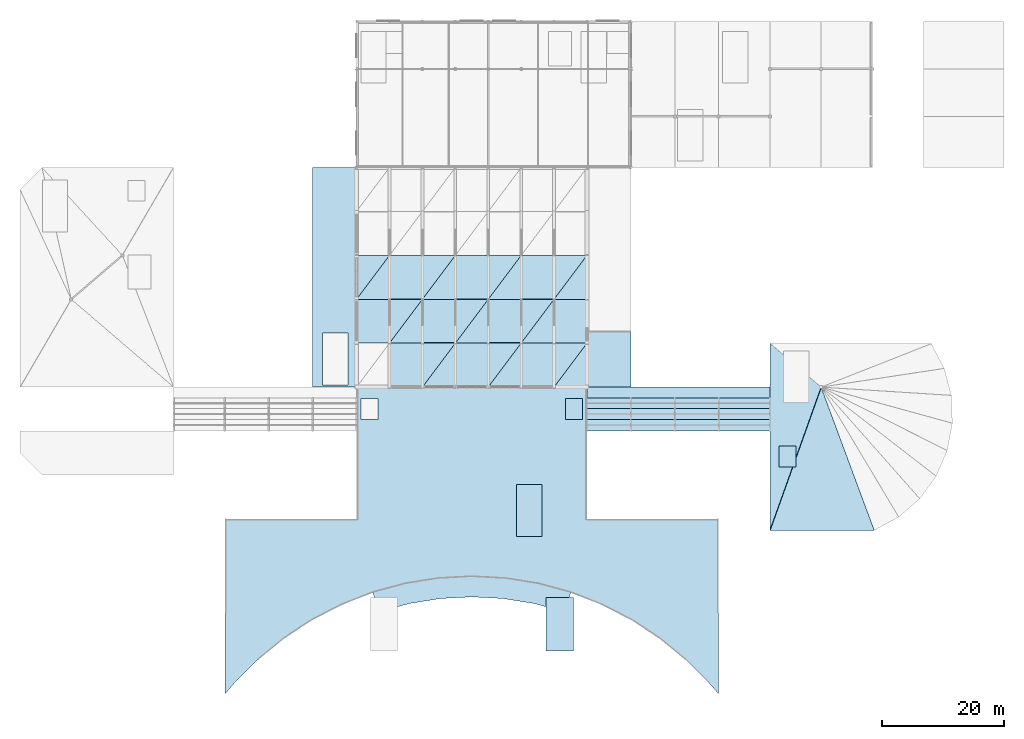
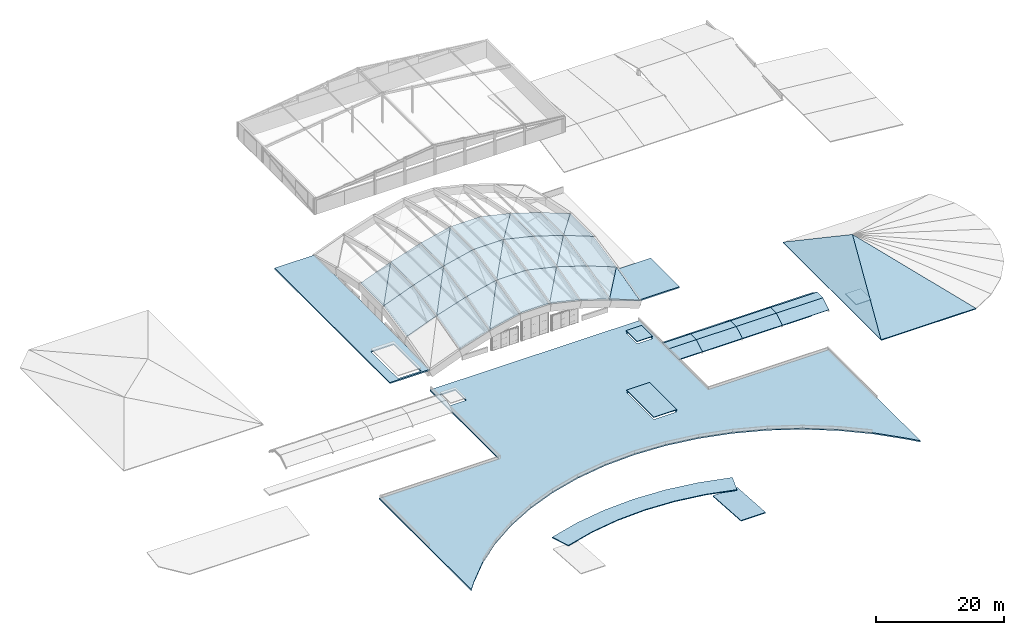
# One storey, part 9 of 27: 53 slabs, 3 elements without a shape of their own.
"""IFC4 building model written with IfcOpenShell, lengths in metres."""

from ifc_helpers import new_model, si_unit, direction, frame, origin, place, context, subcontext, project, spatial, polyline, outline, extrude, material, layer, layer_set, type_object, element, aggregate, save


model = new_model("IFC4")

# Units and contexts
model_context = context("Model", 3, precision=1e-05, world=origin(), true_north=direction((0.0, 1.0)))
body_context = subcontext(model_context, "Body", "Model", "MODEL_VIEW")
ifc_project = project(units=[si_unit("LENGTHUNIT", "METRE"), si_unit("AREAUNIT", "SQUARE_METRE"), si_unit("VOLUMEUNIT", "CUBIC_METRE"), si_unit("PLANEANGLEUNIT", "RADIAN"), si_unit("MASSUNIT", "GRAM", prefix="KILO")], contexts=[model_context])

# Site, building, storey
site_placement = place(None, origin())
site = spatial("IfcSite", under=ifc_project, at=site_placement, CompositionType="ELEMENT")
building_placement = place(site_placement, origin())
building = spatial("IfcBuilding", under=site, at=building_placement, Name="Tazoul Stagehouse", CompositionType="ELEMENT")
storey_placement = place(building_placement, frame((0.0, 0.0, 24.89990234375)))
storey = spatial("IfcBuildingStorey", under=building, at=storey_placement, Name="RF", CompositionType="ELEMENT", Elevation=24.89990234375)

# Slabs
ifc_material_1 = material(Name="Concrete C35/45", Category="concrete")
ifc_layer_1 = layer(ifc_material_1, 0.239990234375, Name="Concrete C35/45")
ifc_layer_set_1 = layer_set([ifc_layer_1], Name="Concrete C35/45")
slab_type_1 = type_object("IfcSlabType", Name="Flat Acoustic Wing Roof Slab 240", PredefinedType="ROOF", material=ifc_layer_set_1)
slab_1_placement = place(storey_placement, frame((0.0, 0.0, -8.039794921875)))
element("IfcSlab", 1, at=slab_1_placement, inside=storey, type_object=slab_type_1, Name="V1 W Gallery Roof Slab RS-01", PredefinedType="ROOF", context=body_context, shape_type="SweptSolid", body=[
    extrude(outline(polyline([(50.39990234375, 51.800048828125), (57.60009765625, 51.800048828125), (57.60009765625, 87.800048828125), (50.39990234375, 87.800048828125), (50.39990234375, 51.800048828125)]), holes=[polyline([(52.050048828125, 52.139892578125), (56.199951171875, 52.139892578125), (56.199951171875, 60.639892578125), (52.050048828125, 60.639892578125), (52.050048828125, 52.139892578125)])]), origin(), (0.0, 0.0, 1.0), 0.239990234375),
])
slab_2_placement = place(storey_placement, frame((0.0, 0.0, -8.039794921875)))
element("IfcSlab", 2, at=slab_2_placement, inside=storey, type_object=slab_type_1, Name="V1 SE Control Gallery Roof Slab RS-01", PredefinedType="ROOF", context=body_context, shape_type="SweptSolid", body=[
    extrude(outline(polyline([(95.39990234375, 51.800048828125), (102.60009765625, 51.800048828125), (102.60009765625, 60.800048828125), (95.39990234375, 60.800048828125), (95.39990234375, 51.800048828125)])), origin(), (0.0, 0.0, 1.0), 0.239990234375),
])
slab_3_placement = place(storey_placement, frame((0.0, 0.0, -20.33984375)))
element("IfcSlab", 3, at=slab_3_placement, inside=storey, type_object=slab_type_1, Name="L00 Link North Gallery Roof Slab RS-01 (ELNK)", PredefinedType="ROOF", context=body_context, shape_type="SweptSolid", body=[
    extrude(outline(polyline([(95.39990234375, 50.0), (125.39990234375, 50.0), (125.39990234375, 51.800048828125), (95.39990234375, 51.800048828125), (95.39990234375, 50.0)])), origin(), (0.0, 0.0, 1.0), 0.239990234375),
])
slab_4_placement = place(storey_placement, frame((0.0, 0.0, -11.93994140625)))
element("IfcSlab", 4, at=slab_4_placement, inside=storey, type_object=slab_type_1, Name="V5 Concave Crescent Roof Slab RS-01 (+13.20 m)", PredefinedType="ROOF", context=body_context, shape_type="SweptSolid", body=[
    extrude(outline(polyline([(36.0, 1.449951171875), (37.5, 3.1796875), (41.358154296875, 7.11328125), (45.611083984375, 10.616455078125), (50.21044921875, 13.64990234375), (55.105224609375, 16.1796875), (60.239990234375, 18.177490234375), (65.5576171875, 19.62060546875), (70.997802734375, 20.4931640625), (76.5, 20.784912109375), (82.002197265625, 20.4931640625), (87.4423828125, 19.62060546875), (92.760009765625, 18.177490234375), (97.894775390625, 16.1796875), (102.78955078125, 13.64990234375), (107.388916015625, 10.616455078125), (111.641845703125, 7.11328125), (115.5, 3.1796875), (117.0, 1.449951171875), (117.0, 30.199951171875), (95.39990234375, 30.199951171875), (95.39990234375, 51.800048828125), (57.60009765625, 51.800048828125), (57.60009765625, 30.199951171875), (36.0, 30.199951171875), (36.0, 1.449951171875)]), holes=[polyline([(58.300048828125, 46.5), (61.10009765625, 46.5), (61.10009765625, 49.89990234375), (58.300048828125, 49.89990234375), (58.300048828125, 46.5)]), polyline([(91.89990234375, 46.5), (94.699951171875, 46.5), (94.699951171875, 49.89990234375), (91.89990234375, 49.89990234375), (91.89990234375, 46.5)]), polyline([(83.85009765625, 27.330078125), (88.0, 27.330078125), (88.0, 35.830078125), (83.85009765625, 35.830078125), (83.85009765625, 27.330078125)])]), origin(), (0.0, 0.0, 1.0), 0.239990234375),
])
ifc_layer_2 = layer(ifc_material_1, 0.14990234375, Name="Concrete C35/45")
ifc_layer_set_2 = layer_set([ifc_layer_2], Name="Concrete C35/45")
slab_type_2 = type_object("IfcSlabType", Name="Lift Overrun Cap Slab 150", PredefinedType="ROOF", material=ifc_layer_set_2)
slab_5_placement = place(storey_placement, frame((0.0, 0.0, -11.39990234375)))
element("IfcSlab", 5, at=slab_5_placement, inside=storey, type_object=slab_type_2, Name="Lift Overrun Roof Cap RS-05 (PL-02)", PredefinedType="ROOF", context=body_context, shape_type="SweptSolid", body=[
    extrude(outline(polyline([(91.89990234375, 46.5), (94.699951171875, 46.5), (94.699951171875, 49.89990234375), (91.89990234375, 49.89990234375), (91.89990234375, 46.5)])), origin(), (0.0, 0.0, 1.0), 0.14990234375),
])
slab_6_placement = place(storey_placement, frame((0.0, 0.0, -11.39990234375)))
element("IfcSlab", 6, at=slab_6_placement, inside=storey, type_object=slab_type_2, Name="Core Stair Overrun Cap RS-05 (ST-08)", PredefinedType="ROOF", context=body_context, shape_type="SweptSolid", body=[
    extrude(outline(polyline([(83.85009765625, 27.330078125), (88.0, 27.330078125), (88.0, 35.830078125), (83.85009765625, 35.830078125), (83.85009765625, 27.330078125)])), origin(), (0.0, 0.0, 1.0), 0.14990234375),
])
slab_7_placement = place(storey_placement, frame((0.0, 0.0, -11.89990234375)))
element("IfcSlab", 7, at=slab_7_placement, inside=storey, type_object=slab_type_2, Name="Lift Overrun Roof Cap RS-05 (PL-04)", PredefinedType="ROOF", context=body_context, shape_type="SweptSolid", body=[
    extrude(outline(polyline([(126.89990234375, 38.699951171875), (129.699951171875, 38.699951171875), (129.699951171875, 42.10009765625), (126.89990234375, 42.10009765625), (126.89990234375, 38.699951171875)])), origin(), (0.0, 0.0, 1.0), 0.14990234375),
])

# Roof, slabs
ifc_material_2 = material(Name="Concrete C40/50", Category="concrete")
roof_type_1 = type_object("IfcRoofType", Name="Main Auditorium Barrel-Toroidal Roof", PredefinedType="BARREL_ROOF", material=ifc_material_2)
roof_1_placement = place(storey_placement, origin())
roof_1 = element("IfcRoof", 8, at=roof_1_placement, inside=storey, type_object=roof_type_1, Name="V1 Seven-Bay Doubly Curved Concrete Shell Roof", PredefinedType="BARREL_ROOF")
ifc_layer_3 = layer(ifc_material_2, 0.2900390625, Name="Concrete C40/50")
ifc_layer_set_3 = layer_set([ifc_layer_3], Name="Concrete C40/50")
slab_type_3 = type_object("IfcSlabType", Name="Shell Perimeter Thickened Band 290", PredefinedType="ROOF", material=ifc_layer_set_3)
slab_8_placement = place(storey_placement, frame((57.60009765625, 59.0, -5.8779296875), z_axis=(-0.353872631564, -0.186526890629, 0.916505253505), x_axis=(0.932877386196, 0.0, 0.360194089796)))
slab_8 = element("IfcSlab", 9, at=slab_8_placement, type_object=slab_type_3, Name="Shell Roof Strip SH-02 Bay 1.2", PredefinedType="ROOF", context=body_context, shape_type="SweptSolid", body=[
    extrude(outline(polyline([(0.0, 0.0), (5.788437391294616, 0.0), (6.3162413285400145, 7.328568608058445), (0.5278039372453981, 7.328568608058445), (0.0, 0.0)])), origin(), (0.0, 0.0, -1.0), 0.2900390625),
])
slab_9_placement = place(storey_placement, frame((57.60009765625, 66.199951171875, -4.41259765625), z_axis=(-0.360194089796, 0.0, 0.932877386196), x_axis=(0.932877386196, 0.0, 0.360194089796)))
slab_9 = element("IfcSlab", 10, at=slab_9_placement, type_object=slab_type_3, Name="Shell Roof Diagrid Facet SH-02 Bay 1.3A", PredefinedType="ROOF", context=body_context, shape_type="SweptSolid", body=[
    extrude(outline(polyline([(0.0, 0.0), (5.788437391294616, 0.0), (5.788437391294616, 7.199951171875002), (0.0, 0.0)])), origin(), (0.0, 0.0, -1.0), 0.2900390625),
])
slab_10_placement = place(storey_placement, frame((57.60009765625, 66.199951171875, -4.41259765625), z_axis=(-0.360194089796, 0.0, 0.932877386196), x_axis=(0.584515578042, 0.779362913105, 0.225687812482)))
slab_10 = element("IfcSlab", 11, at=slab_10_placement, type_object=slab_type_3, Name="Shell Roof Diagrid Facet SH-02 Bay 1.3B", PredefinedType="ROOF", context=body_context, shape_type="SweptSolid", body=[
    extrude(outline(polyline([(0.0, 0.0), (9.238252232447532, -3.3306690738754696e-16), (5.61137491952308, 4.511293427602724), (0.0, 0.0)])), origin(), (0.0, 0.0, -1.0), 0.2900390625),
])
slab_11_placement = place(storey_placement, frame((63.0, 51.800048828125, -5.71484375), z_axis=(-0.29643458644, -0.246322029177, 0.922741563984), x_axis=(0.952077299684, -4.891954e-06, 0.305857508332)))
slab_11 = element("IfcSlab", 12, at=slab_11_placement, type_object=slab_type_3, Name="Shell Roof Strip SH-02 Bay 2.1", PredefinedType="ROOF", context=body_context, shape_type="SweptSolid", body=[
    extrude(outline(polyline([(0.0, 0.0), (5.67167073024975, -5.551115123125783e-17), (6.259530079487855, 7.428880147166658), (0.5877846769948596, 7.428822891536156), (0.0, 0.0)])), origin(), (0.0, 0.0, -1.0), 0.2900390625),
])
slab_12_placement = place(storey_placement, frame((68.39990234375, 51.800048828125, -3.980224609375), z_axis=(-0.21979333003, -0.251622464711, 0.942537546906), x_axis=(0.973871404196, 0.0, 0.227100171927)))
slab_12 = element("IfcSlab", 13, at=slab_12_placement, type_object=slab_type_3, Name="Shell Roof Diagrid Facet SH-02 Bay 3.1A", PredefinedType="ROOF", context=body_context, shape_type="SweptSolid", body=[
    extrude(outline(polyline([(0.0, 0.0), (5.5450303408718815, -5.551115123125783e-17), (5.981543928171152, 7.439307411059465), (0.0, 0.0)])), origin(), (0.0, 0.0, -1.0), 0.2900390625),
])
slab_13_placement = place(storey_placement, frame((68.39990234375, 51.800048828125, -3.980224609375), z_axis=(-0.21979333003, -0.251622464711, 0.942537546906), x_axis=(0.565709577839, 0.754253861388, 0.333277341147)))
slab_13 = element("IfcSlab", 14, at=slab_13_placement, type_object=slab_type_3, Name="Shell Roof Diagrid Facet SH-02 Bay 3.1B", PredefinedType="ROOF", context=body_context, shape_type="SweptSolid", body=[
    extrude(outline(polyline([(0.0, 0.0), (9.545792922585608, 3.7470027081099033e-16), (6.071189729749632, 4.321399557264264), (0.0, 0.0)])), origin(), (0.0, 0.0, -1.0), 0.2900390625),
])
slab_14_placement = place(storey_placement, frame((73.800048828125, 51.800048828125, -2.720947265625), z_axis=(0.0, -0.257929760905, 0.966163670627), x_axis=(1.0, 0.0, 0.0)))
slab_14 = element("IfcSlab", 15, at=slab_14_placement, type_object=slab_type_3, Name="Shell Roof Strip SH-02 Bay 4.1", PredefinedType="ROOF", context=body_context, shape_type="SweptSolid", body=[
    extrude(outline(polyline([(0.0, 0.0), (5.39990234375, 0.0), (5.39990234375, 7.4521029829264425), (0.0, 7.4521029829264425), (0.0, 0.0)])), origin(), (0.0, 0.0, -1.0), 0.2900390625),
])
slab_15_placement = place(storey_placement, frame((79.199951171875, 51.800048828125, -2.720947265625), z_axis=(0.21979333003, -0.251622464711, 0.942537546906), x_axis=(0.973871404196, 0.0, -0.227100171927)))
slab_15 = element("IfcSlab", 16, at=slab_15_placement, type_object=slab_type_3, Name="Shell Roof Diagrid Facet SH-02 Bay 5.1A", PredefinedType="ROOF", context=body_context, shape_type="SweptSolid", body=[
    extrude(outline(polyline([(0.0, 0.0), (5.5450303408718815, 5.551115123125783e-17), (5.10851675357261, 7.439307411059465), (0.0, 0.0)])), origin(), (0.0, 0.0, -1.0), 0.2900390625),
])
slab_16_placement = place(storey_placement, frame((79.199951171875, 51.800048828125, -2.720947265625), z_axis=(0.21979333003, -0.251622464711, 0.942537546906), x_axis=(0.598392336682, 0.797829395592, 0.073449757859)))
slab_16 = element("IfcSlab", 17, at=slab_16_placement, type_object=slab_type_3, Name="Shell Roof Diagrid Facet SH-02 Bay 5.1B", PredefinedType="ROOF", context=body_context, shape_type="SweptSolid", body=[
    extrude(outline(polyline([(0.0, 0.0), (9.024424534438545, -9.43689570931383e-16), (5.885511877203409, 4.571059922101085), (0.0, 0.0)])), origin(), (0.0, 0.0, -1.0), 0.2900390625),
])
slab_17_placement = place(storey_placement, frame((84.60009765625, 51.800048828125, -3.980224609375), z_axis=(0.29643458644, -0.246322029177, 0.922741563984), x_axis=(0.952077299684, 4.891954e-06, -0.305857508332)))
slab_17 = element("IfcSlab", 18, at=slab_17_placement, type_object=slab_type_3, Name="Shell Roof Strip SH-02 Bay 6.1", PredefinedType="ROOF", context=body_context, shape_type="SweptSolid", body=[
    extrude(outline(polyline([(0.0, 0.0), (5.67167073024975, 5.551115123125783e-17), (5.083886053254891, 7.428822891536156), (-0.5878593492381048, 7.428880147166658), (0.0, 0.0)])), origin(), (0.0, 0.0, -1.0), 0.2900390625),
])
slab_18_placement = place(storey_placement, frame((90.0, 51.800048828125, -5.71484375), z_axis=(0.349520702805, -0.241633127057, 0.905234063775), x_axis=(0.932877386196, 0.0, -0.360194089796)))
slab_18 = element("IfcSlab", 19, at=slab_18_placement, type_object=slab_type_3, Name="Shell Roof Diagrid Facet SH-02 Bay 7.1A", PredefinedType="ROOF", context=body_context, shape_type="SweptSolid", body=[
    extrude(outline(polyline([(0.0, 0.0), (5.788437391294616, 0.0), (5.096189374967429, 7.419817590540906), (0.0, 0.0)])), origin(), (0.0, 0.0, -1.0), 0.2900390625),
])
slab_19_placement = place(storey_placement, frame((90.0, 51.800048828125, -5.71484375), z_axis=(0.349520702805, -0.241633127057, 0.905234063775), x_axis=(0.599897175002, 0.799871940862, -0.018117881947)))
slab_19 = element("IfcSlab", 20, at=slab_19_placement, type_object=slab_type_3, Name="Shell Roof Diagrid Facet SH-02 Bay 7.1B", PredefinedType="ROOF", context=body_context, shape_type="SweptSolid", body=[
    extrude(outline(polyline([(0.0, 0.0), (9.001379851024573, 3.3306690738754696e-16), (5.724218613592503, 4.77139619574924), (0.0, 0.0)])), origin(), (0.0, 0.0, -1.0), 0.2900390625),
])
slab_20_placement = place(storey_placement, frame((90.0, 59.0, -3.79296875), z_axis=(0.353872631564, -0.186526890629, 0.916505253505), x_axis=(0.932877386196, 0.0, -0.360194089796)))
slab_20 = element("IfcSlab", 21, at=slab_20_placement, type_object=slab_type_3, Name="Shell Roof Strip SH-02 Bay 7.2", PredefinedType="ROOF", context=body_context, shape_type="SweptSolid", body=[
    extrude(outline(polyline([(0.0, 0.0), (5.788437391294616, 0.0), (5.260633454049218, 7.328568608058445), (-0.5278039372453981, 7.328568608058445), (0.0, 0.0)])), origin(), (0.0, 0.0, -1.0), 0.2900390625),
])
slab_21_placement = place(storey_placement, frame((90.0, 66.199951171875, -2.32763671875), z_axis=(0.360194089796, 0.0, 0.932877386196), x_axis=(0.932877386196, 0.0, -0.360194089796)))
slab_21 = element("IfcSlab", 22, at=slab_21_placement, type_object=slab_type_3, Name="Shell Roof Diagrid Facet SH-02 Bay 7.3A", PredefinedType="ROOF", context=body_context, shape_type="SweptSolid", body=[
    extrude(outline(polyline([(0.0, 0.0), (5.788437391294616, 0.0), (5.788437391294616, 7.199951171875002), (0.0, 0.0)])), origin(), (0.0, 0.0, -1.0), 0.2900390625),
])
slab_22_placement = place(storey_placement, frame((90.0, 66.199951171875, -2.32763671875), z_axis=(0.360194089796, 0.0, 0.932877386196), x_axis=(0.584515578042, 0.779362913105, -0.225687812482)))
slab_22 = element("IfcSlab", 23, at=slab_22_placement, type_object=slab_type_3, Name="Shell Roof Diagrid Facet SH-02 Bay 7.3B", PredefinedType="ROOF", context=body_context, shape_type="SweptSolid", body=[
    extrude(outline(polyline([(0.0, 0.0), (9.238252232447532, -3.3306690738754696e-16), (5.61137491952308, 4.511293427602724), (0.0, 0.0)])), origin(), (0.0, 0.0, -1.0), 0.2900390625),
])

roof_type_2 = type_object("IfcRoofType", Name="Conical Studio Drum Parametric Roof", PredefinedType="PAVILION_ROOF", material=ifc_material_2)
roof_2_placement = place(storey_placement, origin())
roof_2 = element("IfcRoof", 24, at=roof_2_placement, inside=storey, type_object=roof_type_2, Name="V4 Radially Fanned Conical Studio Roof", PredefinedType="PAVILION_ROOF")
ifc_layer_4 = layer(ifc_material_2, 0.18994140625, Name="Concrete C40/50")
ifc_layer_set_4 = layer_set([ifc_layer_4], Name="Concrete C40/50")
slab_type_4 = type_object("IfcSlabType", Name="Sloped Studio Acoustic Roof 190", PredefinedType="ROOF", material=ifc_layer_set_4)
slab_23_placement = place(storey_placement, frame((133.800048828125, 51.800048828125, -8.75), z_axis=(0.0, -0.122471152856, 0.992472073521), x_axis=(0.345469164091, -0.931365669357, -0.114930616487)))
slab_23 = element("IfcSlab", 25, at=slab_23_placement, type_object=slab_type_4, Name="V4 Conical Studio Roof Facet RS-02 F10", PredefinedType="ROOF", context=body_context, shape_type="SweptSolid", body=[
    extrude(outline(polyline([(0.0, 0.0), (25.231765323958143, -1.6237011735142914e-15), (19.31838920980736, -16.063054905610045), (0.0, 0.0)])), origin(), (0.0, 0.0, -1.0), 0.18994140625),
])
slab_24_placement = place(storey_placement, frame((133.800048828125, 51.800048828125, -8.75), z_axis=(-0.326322556324, 0.0, 0.945258477473), x_axis=(-0.334345769406, -0.93535578167, -0.115422996745)))
slab_24 = element("IfcSlab", 26, at=slab_24_placement, type_object=slab_type_4, Name="V4 Conical Studio Roof Facet RS-02 F11", PredefinedType="ROOF", context=body_context, shape_type="SweptSolid", body=[
    extrude(outline(polyline([(0.0, 0.0), (25.124129727460105, 1.1102230246251565e-16), (-3.5912470981314057, -10.85882754811915), (0.0, 0.0)])), origin(), (0.0, 0.0, -1.0), 0.18994140625),
])
aggregate(roof_2, [slab_23, slab_24])

# Slab
ifc_layer_5 = layer(ifc_material_2, 0.199951171875, Name="Concrete C40/50")
ifc_layer_set_5 = layer_set([ifc_layer_5], Name="Concrete C40/50")
slab_type_5 = type_object("IfcSlabType", Name="Toroidal Concrete Shell Roof 200", PredefinedType="ROOF", material=ifc_layer_set_5)
slab_25_placement = place(storey_placement, frame((63.0, 59.0, -3.79296875), z_axis=(-0.300292904386, -0.190227023672, 0.934685963862), x_axis=(0.952070651838, 0.0, 0.305878201101)))
slab_25 = element("IfcSlab", 27, at=slab_25_placement, type_object=slab_type_5, Name="Shell Roof Diagrid Facet SH-01 Bay 2.2A", PredefinedType="ROOF", context=body_context, shape_type="SweptSolid", body=[
    extrude(outline(polyline([(0.0, 0.0), (5.671745403900484, 0.0), (6.11995852963544, 7.333866635896125), (0.0, 0.0)])), origin(), (0.0, 0.0, -1.0), 0.199951171875),
])

slab_26_placement = place(storey_placement, frame((63.0, 59.0, -3.79296875), z_axis=(-0.300292904386, -0.190227023672, 0.934685963862), x_axis=(0.565320163526, 0.753768737795, 0.335031047269)))
slab_26 = element("IfcSlab", 28, at=slab_26_placement, type_object=slab_type_5, Name="Shell Roof Diagrid Facet SH-01 Bay 2.2B", PredefinedType="ROOF", context=body_context, shape_type="SweptSolid", body=[
    extrude(outline(polyline([(0.0, 0.0), (9.551936570013847, -3.885780586188048e-16), (5.918029832034845, 4.354700649451931), (0.0, 0.0)])), origin(), (0.0, 0.0, -1.0), 0.199951171875),
])

slab_27_placement = place(storey_placement, frame((63.0, 66.199951171875, -2.32763671875), z_axis=(-0.305878201101, 0.0, 0.952070651838), x_axis=(0.952070651838, 0.0, 0.305878201101)))
slab_27 = element("IfcSlab", 29, at=slab_27_placement, type_object=slab_type_5, Name="Shell Roof Strip SH-01 Bay 2.3", PredefinedType="ROOF", context=body_context, shape_type="SweptSolid", body=[
    extrude(outline(polyline([(0.0, 0.0), (5.671745403900484, 0.0), (5.671745403900484, 7.199951171875002), (0.0, 7.199951171875002), (0.0, 0.0)])), origin(), (0.0, 0.0, -1.0), 0.199951171875),
])

slab_28_placement = place(storey_placement, frame((68.39990234375, 59.0, -2.05810546875), z_axis=(-0.222766731469, -0.194420016436, 0.955288354666), x_axis=(0.973871404196, 0.0, 0.227100171927)))
slab_28 = element("IfcSlab", 30, at=slab_28_placement, type_object=slab_type_5, Name="Shell Roof Strip SH-01 Bay 3.2", PredefinedType="ROOF", context=body_context, shape_type="SweptSolid", body=[
    extrude(outline(polyline([(0.0, 0.0), (5.5450303408718815, -2.7755575615628914e-17), (5.877807497098253, 7.340010504317098), (0.33277715622637155, 7.340010504317098), (0.0, 0.0)])), origin(), (0.0, 0.0, -1.0), 0.199951171875),
])

slab_29_placement = place(storey_placement, frame((68.39990234375, 66.199951171875, -0.5927734375), z_axis=(-0.227100171927, 0.0, 0.973871404196), x_axis=(0.973871404196, 0.0, 0.227100171927)))
slab_29 = element("IfcSlab", 31, at=slab_29_placement, type_object=slab_type_5, Name="Shell Roof Diagrid Facet SH-01 Bay 3.3A", PredefinedType="ROOF", context=body_context, shape_type="SweptSolid", body=[
    extrude(outline(polyline([(0.0, 0.0), (5.5450303408718815, 0.0), (5.5450303408718815, 7.199951171875), (0.0, 0.0)])), origin(), (0.0, 0.0, -1.0), 0.199951171875),
])

slab_30_placement = place(storey_placement, frame((68.39990234375, 66.199951171875, -0.5927734375), z_axis=(-0.227100171927, 0.0, 0.973871404196), x_axis=(0.594224554451, 0.792272541043, 0.138569114872)))
slab_30 = element("IfcSlab", 32, at=slab_30_placement, type_object=slab_type_5, Name="Shell Roof Diagrid Facet SH-01 Bay 3.3B", PredefinedType="ROOF", context=body_context, shape_type="SweptSolid", body=[
    extrude(outline(polyline([(0.0, 0.0), (9.087720195878278, -8.326672684688674e-17), (5.7043236103259245, 4.393175278322322), (0.0, 0.0)])), origin(), (0.0, 0.0, -1.0), 0.199951171875),
])

slab_31_placement = place(storey_placement, frame((73.800048828125, 59.0, -0.798828125), z_axis=(0.0, -0.199431372251, 0.979911795909), x_axis=(1.0, 0.0, 0.0)))
slab_31 = element("IfcSlab", 33, at=slab_31_placement, type_object=slab_type_5, Name="Shell Roof Diagrid Facet SH-01 Bay 4.2A", PredefinedType="ROOF", context=body_context, shape_type="SweptSolid", body=[
    extrude(outline(polyline([(0.0, 0.0), (5.39990234375, 0.0), (5.39990234375, 7.347550261086441), (0.0, 0.0)])), origin(), (0.0, 0.0, -1.0), 0.199951171875),
])

slab_32_placement = place(storey_placement, frame((73.800048828125, 59.0, -0.798828125), z_axis=(0.0, -0.199431372251, 0.979911795909), x_axis=(0.592197660529, 0.789605805528, 0.160700350778)))
slab_32 = element("IfcSlab", 34, at=slab_32_placement, type_object=slab_type_5, Name="Shell Roof Diagrid Facet SH-01 Bay 4.2B", PredefinedType="ROOF", context=body_context, shape_type="SweptSolid", body=[
    extrude(outline(polyline([(0.0, 0.0), (9.118412151313857, 1.0824674490095276e-15), (5.920602616258427, 4.3512020752368334), (0.0, 0.0)])), origin(), (0.0, 0.0, -1.0), 0.199951171875),
])

slab_33_placement = place(storey_placement, frame((73.800048828125, 66.199951171875, 0.66650390625), z_axis=(0.0, 0.0, 1.0), x_axis=(1.0, 0.0, 0.0)))
slab_33 = element("IfcSlab", 35, at=slab_33_placement, type_object=slab_type_5, Name="Shell Roof Strip SH-01 Bay 4.3", PredefinedType="ROOF", context=body_context, shape_type="SweptSolid", body=[
    extrude(outline(polyline([(0.0, 0.0), (5.39990234375, 0.0), (5.39990234375, 7.199951171875), (0.0, 7.199951171875), (0.0, 0.0)])), origin(), (0.0, 0.0, -1.0), 0.199951171875),
])

slab_34_placement = place(storey_placement, frame((79.199951171875, 59.0, -0.798828125), z_axis=(0.222766731469, -0.194420016436, 0.955288354666), x_axis=(0.973871404196, 0.0, -0.227100171927)))
slab_34 = element("IfcSlab", 36, at=slab_34_placement, type_object=slab_type_5, Name="Shell Roof Strip SH-01 Bay 5.2", PredefinedType="ROOF", context=body_context, shape_type="SweptSolid", body=[
    extrude(outline(polyline([(0.0, 0.0), (5.5450303408718815, 2.7755575615628914e-17), (5.21225318464551, 7.340010504317098), (-0.33277715622637155, 7.340010504317098), (0.0, 0.0)])), origin(), (0.0, 0.0, -1.0), 0.199951171875),
])

slab_35_placement = place(storey_placement, frame((79.199951171875, 66.199951171875, 0.66650390625), z_axis=(0.227100171927, 0.0, 0.973871404196), x_axis=(0.973871404196, 0.0, -0.227100171927)))
slab_35 = element("IfcSlab", 37, at=slab_35_placement, type_object=slab_type_5, Name="Shell Roof Diagrid Facet SH-01 Bay 5.3A", PredefinedType="ROOF", context=body_context, shape_type="SweptSolid", body=[
    extrude(outline(polyline([(0.0, 0.0), (5.5450303408718815, 0.0), (5.5450303408718815, 7.199951171875), (0.0, 0.0)])), origin(), (0.0, 0.0, -1.0), 0.199951171875),
])

slab_36_placement = place(storey_placement, frame((79.199951171875, 66.199951171875, 0.66650390625), z_axis=(0.227100171927, 0.0, 0.973871404196), x_axis=(0.594224554451, 0.792272541043, -0.138569114872)))
slab_36 = element("IfcSlab", 38, at=slab_36_placement, type_object=slab_type_5, Name="Shell Roof Diagrid Facet SH-01 Bay 5.3B", PredefinedType="ROOF", context=body_context, shape_type="SweptSolid", body=[
    extrude(outline(polyline([(0.0, 0.0), (9.087720195878278, -8.326672684688674e-17), (5.7043236103259245, 4.393175278322322), (0.0, 0.0)])), origin(), (0.0, 0.0, -1.0), 0.199951171875),
])

slab_37_placement = place(storey_placement, frame((84.60009765625, 59.0, -2.05810546875), z_axis=(0.300292904386, -0.190227023672, 0.934685963862), x_axis=(0.952070651838, 0.0, -0.305878201101)))
slab_37 = element("IfcSlab", 39, at=slab_37_placement, type_object=slab_type_5, Name="Shell Roof Diagrid Facet SH-01 Bay 6.2A", PredefinedType="ROOF", context=body_context, shape_type="SweptSolid", body=[
    extrude(outline(polyline([(0.0, 0.0), (5.671745403900484, 0.0), (5.2235322781655285, 7.333866635896125), (0.0, 0.0)])), origin(), (0.0, 0.0, -1.0), 0.199951171875),
])

slab_38_placement = place(storey_placement, frame((84.60009765625, 59.0, -2.05810546875), z_axis=(0.300292904386, -0.190227023672, 0.934685963862), x_axis=(0.599726773319, 0.79964473605, -0.029934820406)))
slab_38 = element("IfcSlab", 40, at=slab_38_placement, type_object=slab_type_5, Name="Shell Roof Diagrid Facet SH-01 Bay 6.2B", PredefinedType="ROOF", context=body_context, shape_type="SweptSolid", body=[
    extrude(outline(polyline([(0.0, 0.0), (9.003937432820571, -7.216449660063518e-16), (5.713538603213161, 4.619737164469905), (0.0, 0.0)])), origin(), (0.0, 0.0, -1.0), 0.199951171875),
])

slab_39_placement = place(storey_placement, frame((84.60009765625, 66.199951171875, -0.5927734375), z_axis=(0.305878201101, 0.0, 0.952070651838), x_axis=(0.952070651838, 0.0, -0.305878201101)))
slab_39 = element("IfcSlab", 41, at=slab_39_placement, type_object=slab_type_5, Name="Shell Roof Strip SH-01 Bay 6.3", PredefinedType="ROOF", context=body_context, shape_type="SweptSolid", body=[
    extrude(outline(polyline([(0.0, 0.0), (5.671745403900484, 0.0), (5.671745403900484, 7.199951171875002), (0.0, 7.199951171875002), (0.0, 0.0)])), origin(), (0.0, 0.0, -1.0), 0.199951171875),
])

aggregate(roof_1, [slab_8, slab_9, slab_10, slab_11, slab_25, slab_26, slab_27, slab_12, slab_13, slab_28, slab_29, slab_30, slab_14, slab_31, slab_32, slab_33, slab_15, slab_16, slab_34, slab_35, slab_36, slab_17, slab_37, slab_38, slab_39, slab_18, slab_19, slab_20, slab_21, slab_22])

# Roof, slabs
ifc_material_3 = material(Name="Precast concrete C40/50", Category="concrete")
roof_type_3 = type_object("IfcRoofType", Name="Vaulted Civic Passage Roof", PredefinedType="BARREL_ROOF", material=ifc_material_3)
roof_3_placement = place(storey_placement, origin())
roof_3 = element("IfcRoof", 42, at=roof_3_placement, inside=storey, type_object=roof_type_3, Name="Barrel-Vaulted Public Shade Passage and Court-Bridge Roofs", PredefinedType="BARREL_ROOF")
ifc_layer_6 = layer(ifc_material_3, 0.159912109375, Name="Precast concrete C40/50")
ifc_layer_set_6 = layer_set([ifc_layer_6], Name="Precast concrete C40/50")
slab_type_6 = type_object("IfcSlabType", Name="Vaulted Passage Canopy Shell 160", PredefinedType="ROOF", material=ifc_layer_set_6)
slab_40_placement = place(storey_placement, frame((95.39990234375, 44.60009765625, -15.81982421875), z_axis=(0.0, -0.514479550847, 0.857502648253), x_axis=(1.0, 0.0, 0.0)))
slab_40 = element("IfcSlab", 43, at=slab_40_placement, type_object=slab_type_6, Name="Passage Vault Canopy Strip RS-04 E1.1", PredefinedType="ROOF", context=body_context, shape_type="SweptSolid", body=[
    extrude(outline(polyline([(0.0, 0.0), (7.2001953125, 0.0), (7.2001953125, 2.2156227127945773), (0.0, 2.2156227127945773), (0.0, 0.0)])), origin(), (0.0, 0.0, -1.0), 0.159912109375),
])
slab_41_placement = place(storey_placement, frame((95.39990234375, 46.5, -14.679931640625), z_axis=(0.0, 0.0, 1.0), x_axis=(1.0, 0.0, 0.0)))
slab_41 = element("IfcSlab", 44, at=slab_41_placement, type_object=slab_type_6, Name="Passage Vault Canopy Strip RS-04 E1.2", PredefinedType="ROOF", context=body_context, shape_type="SweptSolid", body=[
    extrude(outline(polyline([(0.0, 0.0), (7.2001953125, 0.0), (7.2001953125, 1.800048828125), (0.0, 1.800048828125), (0.0, 0.0)])), origin(), (0.0, 0.0, -1.0), 0.159912109375),
])
slab_42_placement = place(storey_placement, frame((95.39990234375, 48.300048828125, -14.679931640625), z_axis=(0.0, 0.556927861268, 0.830560869138), x_axis=(1.0, 0.0, 0.0)))
slab_42 = element("IfcSlab", 45, at=slab_42_placement, type_object=slab_type_6, Name="Passage Vault Canopy Strip RS-04 E1.3", PredefinedType="ROOF", context=body_context, shape_type="SweptSolid", body=[
    extrude(outline(polyline([(0.0, 0.0), (7.2001953125, 0.0), (7.2001953125, 2.04675085841527), (0.0, 2.04675085841527), (0.0, 0.0)])), origin(), (0.0, 0.0, -1.0), 0.159912109375),
])
slab_43_placement = place(storey_placement, frame((102.60009765625, 44.60009765625, -15.81982421875), z_axis=(0.0, -0.514479550847, 0.857502648253), x_axis=(1.0, 0.0, 0.0)))
slab_43 = element("IfcSlab", 46, at=slab_43_placement, type_object=slab_type_6, Name="Passage Vault Canopy Strip RS-04 E2.1", PredefinedType="ROOF", context=body_context, shape_type="SweptSolid", body=[
    extrude(outline(polyline([(0.0, 0.0), (7.199951171875, 0.0), (7.199951171875, 2.215622712794578), (0.0, 2.215622712794578), (0.0, 0.0)])), origin(), (0.0, 0.0, -1.0), 0.159912109375),
])
slab_44_placement = place(storey_placement, frame((102.60009765625, 46.5, -14.679931640625), z_axis=(0.0, 0.0, 1.0), x_axis=(1.0, 0.0, 0.0)))
slab_44 = element("IfcSlab", 47, at=slab_44_placement, type_object=slab_type_6, Name="Passage Vault Canopy Strip RS-04 E2.2", PredefinedType="ROOF", context=body_context, shape_type="SweptSolid", body=[
    extrude(outline(polyline([(0.0, 0.0), (7.199951171875, 0.0), (7.199951171875, 1.800048828125), (0.0, 1.800048828125), (0.0, 0.0)])), origin(), (0.0, 0.0, -1.0), 0.159912109375),
])
slab_45_placement = place(storey_placement, frame((102.60009765625, 48.300048828125, -14.679931640625), z_axis=(0.0, 0.556927861268, 0.830560869138), x_axis=(1.0, 0.0, 0.0)))
slab_45 = element("IfcSlab", 48, at=slab_45_placement, type_object=slab_type_6, Name="Passage Vault Canopy Strip RS-04 E2.3", PredefinedType="ROOF", context=body_context, shape_type="SweptSolid", body=[
    extrude(outline(polyline([(0.0, 0.0), (7.199951171875, 0.0), (7.199951171875, 2.04675085841527), (0.0, 2.04675085841527), (0.0, 0.0)])), origin(), (0.0, 0.0, -1.0), 0.159912109375),
])
slab_46_placement = place(storey_placement, frame((109.800048828125, 44.60009765625, -15.81982421875), z_axis=(0.0, -0.514479550847, 0.857502648253), x_axis=(1.0, 0.0, 0.0)))
slab_46 = element("IfcSlab", 49, at=slab_46_placement, type_object=slab_type_6, Name="Passage Vault Canopy Strip RS-04 E3.1", PredefinedType="ROOF", context=body_context, shape_type="SweptSolid", body=[
    extrude(outline(polyline([(0.0, 0.0), (7.199951171875, 0.0), (7.199951171875, 2.215622712794578), (0.0, 2.215622712794578), (0.0, 0.0)])), origin(), (0.0, 0.0, -1.0), 0.159912109375),
])
slab_47_placement = place(storey_placement, frame((109.800048828125, 46.5, -14.679931640625), z_axis=(0.0, 0.0, 1.0), x_axis=(1.0, 0.0, 0.0)))
slab_47 = element("IfcSlab", 50, at=slab_47_placement, type_object=slab_type_6, Name="Passage Vault Canopy Strip RS-04 E3.2", PredefinedType="ROOF", context=body_context, shape_type="SweptSolid", body=[
    extrude(outline(polyline([(0.0, 0.0), (7.199951171875, 0.0), (7.199951171875, 1.800048828125), (0.0, 1.800048828125), (0.0, 0.0)])), origin(), (0.0, 0.0, -1.0), 0.159912109375),
])
slab_48_placement = place(storey_placement, frame((109.800048828125, 48.300048828125, -14.679931640625), z_axis=(0.0, 0.556927861268, 0.830560869138), x_axis=(1.0, 0.0, 0.0)))
slab_48 = element("IfcSlab", 51, at=slab_48_placement, type_object=slab_type_6, Name="Passage Vault Canopy Strip RS-04 E3.3", PredefinedType="ROOF", context=body_context, shape_type="SweptSolid", body=[
    extrude(outline(polyline([(0.0, 0.0), (7.199951171875, 0.0), (7.199951171875, 2.04675085841527), (0.0, 2.04675085841527), (0.0, 0.0)])), origin(), (0.0, 0.0, -1.0), 0.159912109375),
])
slab_49_placement = place(storey_placement, frame((117.0, 44.60009765625, -15.81982421875), z_axis=(0.0, -0.514479550847, 0.857502648253), x_axis=(1.0, 0.0, 0.0)))
slab_49 = element("IfcSlab", 52, at=slab_49_placement, type_object=slab_type_6, Name="Passage Vault Canopy Strip RS-04 E4.1", PredefinedType="ROOF", context=body_context, shape_type="SweptSolid", body=[
    extrude(outline(polyline([(0.0, 0.0), (8.39990234375, 0.0), (8.39990234375, 2.2156227127945773), (0.0, 2.2156227127945773), (0.0, 0.0)])), origin(), (0.0, 0.0, -1.0), 0.159912109375),
])
slab_50_placement = place(storey_placement, frame((117.0, 46.5, -14.679931640625), z_axis=(0.0, 0.0, 1.0), x_axis=(1.0, 0.0, 0.0)))
slab_50 = element("IfcSlab", 53, at=slab_50_placement, type_object=slab_type_6, Name="Passage Vault Canopy Strip RS-04 E4.2", PredefinedType="ROOF", context=body_context, shape_type="SweptSolid", body=[
    extrude(outline(polyline([(0.0, 0.0), (8.39990234375, 0.0), (8.39990234375, 1.800048828125), (0.0, 1.800048828125), (0.0, 0.0)])), origin(), (0.0, 0.0, -1.0), 0.159912109375),
])
slab_51_placement = place(storey_placement, frame((117.0, 48.300048828125, -14.679931640625), z_axis=(0.0, 0.556927861268, 0.830560869138), x_axis=(1.0, 0.0, 0.0)))
slab_51 = element("IfcSlab", 54, at=slab_51_placement, type_object=slab_type_6, Name="Passage Vault Canopy Strip RS-04 E4.3", PredefinedType="ROOF", context=body_context, shape_type="SweptSolid", body=[
    extrude(outline(polyline([(0.0, 0.0), (8.39990234375, 0.0), (8.39990234375, 2.04675085841527), (0.0, 2.04675085841527), (0.0, 0.0)])), origin(), (0.0, 0.0, -1.0), 0.159912109375),
])
slab_52_placement = place(storey_placement, frame((88.699951171875, 8.5, -21.25), z_axis=(0.0, 0.06800698196, 0.997684845232), x_axis=(1.0, 0.0, 0.0)))
slab_52 = element("IfcSlab", 55, at=slab_52_placement, type_object=slab_type_6, Name="Sunken Plaza Stair Pavilion Canopy Hood RS-04 (AMP-E)", PredefinedType="ROOF", context=body_context, shape_type="SweptSolid", body=[
    extrude(outline(polyline([(0.0, 0.0), (4.449951171875, 0.0), (4.449951171875, 8.820469580333684), (0.0, 8.820469580333684), (0.0, 0.0)])), origin(), (0.0, 0.0, -1.0), 0.159912109375),
])
slab_53_placement = place(storey_placement, frame((0.0, 0.0, -20.47998046875)))
slab_53 = element("IfcSlab", 56, at=slab_53_placement, type_object=slab_type_6, Name="V5 Crescent Sculpted Entrance Marquee Canopy RS-04", PredefinedType="ROOF", context=body_context, shape_type="SweptSolid", body=[
    extrude(outline(polyline([(60.239990234375, 18.177490234375), (65.5576171875, 19.62060546875), (70.997802734375, 20.4931640625), (76.5, 20.784912109375), (82.002197265625, 20.4931640625), (87.4423828125, 19.62060546875), (92.760009765625, 18.177490234375), (91.69677734375, 14.947998046875), (86.726806640625, 16.296875), (81.642333984375, 17.1123046875), (76.5, 17.385009765625), (71.357666015625, 17.1123046875), (66.273193359375, 16.296875), (61.30322265625, 14.947998046875), (60.239990234375, 18.177490234375)])), origin(), (0.0, 0.0, 1.0), 0.16015625),
])
aggregate(roof_3, [slab_40, slab_41, slab_42, slab_43, slab_44, slab_45, slab_46, slab_47, slab_48, slab_49, slab_50, slab_51, slab_52, slab_53])

save(model, "model.ifc")
